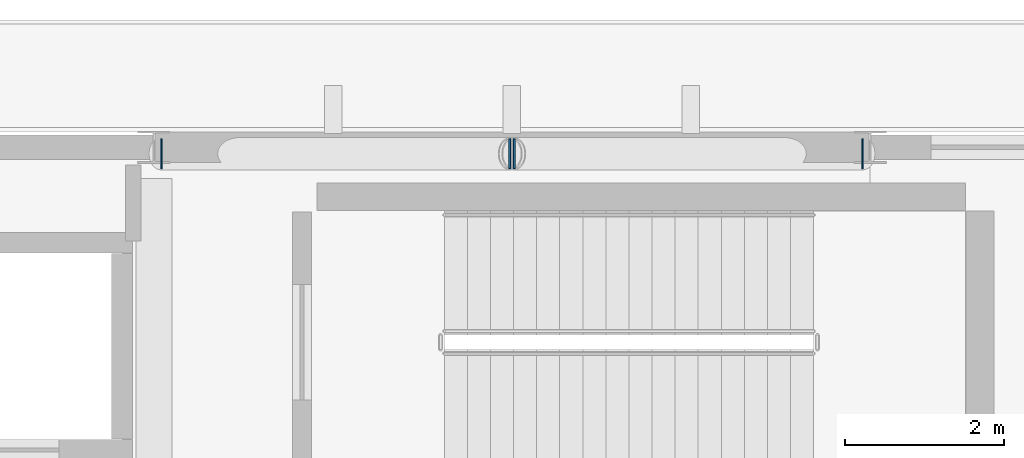
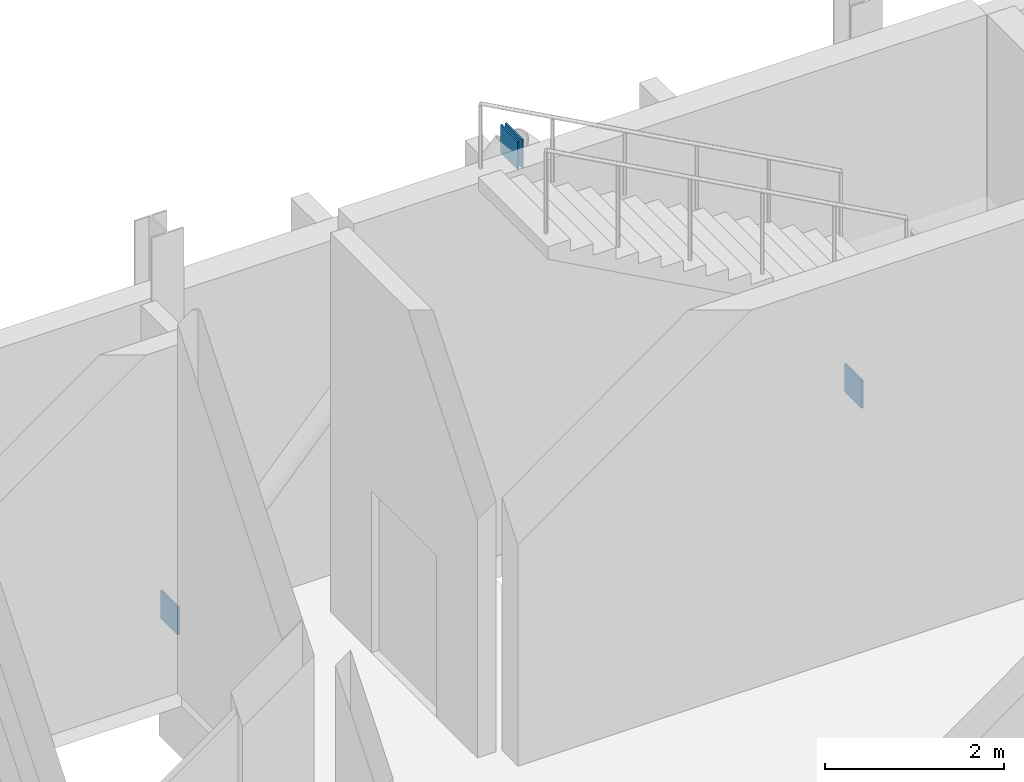
# One storey, part 72 of 95: 4 plates.
"""IFC4 building model written with IfcOpenShell, lengths in metres."""

from ifc_helpers import new_model, si_unit, direction, frame, origin, origin_2d, place, context, subcontext, project, spatial, rectangle, extrude, material, layer, layer_set, type_object, element, save


model = new_model("IFC4")

# Units and contexts
model_context = context("Model", 3, precision=1e-05, world=origin(), true_north=direction((0.0, 1.0)))
body_context = subcontext(model_context, "Body", "Model", "MODEL_VIEW")
ifc_project = project(units=[si_unit("LENGTHUNIT", "METRE"), si_unit("AREAUNIT", "SQUARE_METRE"), si_unit("VOLUMEUNIT", "CUBIC_METRE"), si_unit("PLANEANGLEUNIT", "RADIAN"), si_unit("MASSUNIT", "GRAM", prefix="KILO")], contexts=[model_context])

# Site, building, storey
site_placement = place(None, origin())
site = spatial("IfcSite", under=ifc_project, at=site_placement, CompositionType="ELEMENT")
building_placement = place(site_placement, origin())
building = spatial("IfcBuilding", under=site, at=building_placement, Name="Shengluoqiao Park Theatre", CompositionType="ELEMENT")
storey_placement = place(building_placement, origin())
storey = spatial("IfcBuildingStorey", under=building, at=storey_placement, Name="L00", CompositionType="ELEMENT", Elevation=0.0)

# Plates
ifc_material = material(Name="Steel Q390", Category="steel")
ifc_layer = layer(ifc_material, 0.02392578125, Name="Steel Q390")
ifc_layer_set = layer_set([ifc_layer], Name="Steel Q390")
plate_type = type_object("IfcPlateType", Name="STR-PLT-EC-360", PredefinedType="SHEET", material=ifc_layer_set)
for number, where, z_axis, x_axis, name in (
    (1, (130.49609375, 113.919921875, -0.06494140625), (0.0, 0.0, 1.0), (1.0, 0.0, 0.0), "Hollow Tube End Cap Plate 00144"),
    (2, (134.871337890625, 113.919921875, 4.743408203125), (0.0, 0.0, 1.0), (1.0, 0.0, 0.0), "Hollow Tube End Cap Plate 00145"),
    (3, (139.303955078125, 113.919921875, -0.06494140625), (0.0, 0.0, 1.0), (-1.0, 0.0, 0.0), "Hollow Tube End Cap Plate 00146"),
    (4, (134.9287109375, 113.919921875, 4.743408203125), (0.0, 0.0, 1.0), (-1.0, 0.0, 0.0), "Hollow Tube End Cap Plate 00147"),
):
    element("IfcPlate", number, at=place(storey_placement, frame(where, z_axis=z_axis, x_axis=x_axis)), inside=storey, type_object=plate_type, Name=name, PredefinedType="SHEET", context=body_context, shape_type="SweptSolid", body=[
        extrude(rectangle(XDim=0.02392578125, YDim=0.3798828125, at=origin_2d()), origin(), (0.0, 0.0, 1.0), 0.3798828125),
    ])

save(model, "model.ifc")
